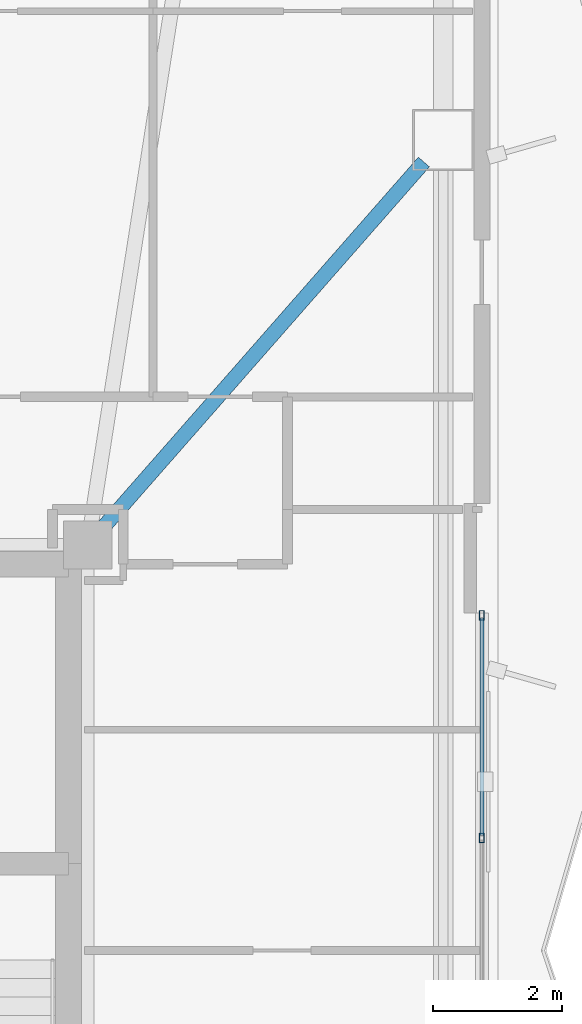
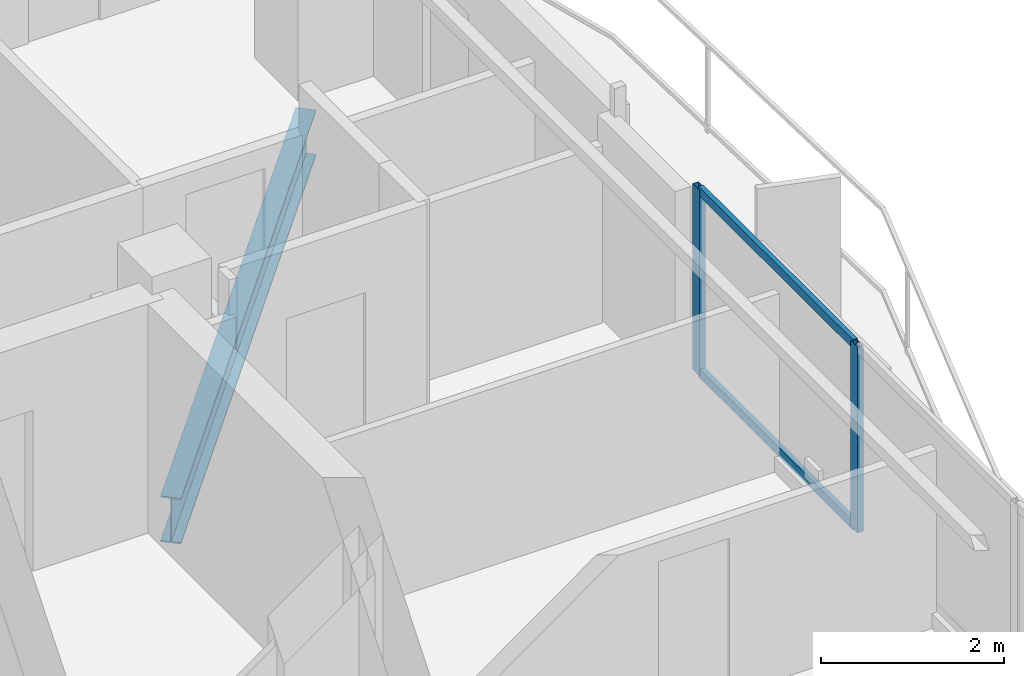
# One storey, part 9 of 18: 4 members, 1 beam, 1 element without a shape of its own.
"""IFC4 building model written with IfcOpenShell, lengths in metres."""

from ifc_helpers import new_model, si_unit, direction, frame, origin, origin_2d, place, context, subcontext, project, spatial, hollow_rectangle, i_section, extrude, material, layer, layer_set, material_profile, profile_set, type_object, element, aggregate, save


model = new_model("IFC4")

# Units and contexts
model_context = context("Model", 3, precision=1e-05, world=origin(), true_north=direction((0.0, 1.0)))
body_context = subcontext(model_context, "Body", "Model", "MODEL_VIEW")
ifc_project = project(units=[si_unit("LENGTHUNIT", "METRE"), si_unit("AREAUNIT", "SQUARE_METRE"), si_unit("VOLUMEUNIT", "CUBIC_METRE"), si_unit("PLANEANGLEUNIT", "RADIAN"), si_unit("MASSUNIT", "GRAM", prefix="KILO")], contexts=[model_context])

# Site, building, storey
site_placement = place(None, origin())
site = spatial("IfcSite", under=ifc_project, at=site_placement, CompositionType="ELEMENT")
building_placement = place(site_placement, origin())
building = spatial("IfcBuilding", under=site, at=building_placement, Name="Mersakhor Tower and Convention Hall", CompositionType="ELEMENT")
storey_placement = place(building_placement, frame((0.0, 0.0, 154.199951171875)))
storey = spatial("IfcBuildingStorey", under=building, at=storey_placement, Name="L43", CompositionType="ELEMENT", Elevation=154.199951171875)

# Beam
ifc_material_1 = material(Name="Steel S355", Category="steel")
ifc_material_profile_1 = material_profile(ifc_material_1, i_section(OverallWidth=0.22900390625, OverallDepth=0.6123046875, WebThickness=0.011962890625, FlangeThickness=0.01953125, at=origin_2d()), Name="UB 610x229x125")
ifc_profile_set_1 = profile_set([ifc_material_profile_1], Name="Steel S355")
beam_type = type_object("IfcBeamType", Name="BM-PR-610", PredefinedType="BEAM", material=ifc_profile_set_1)
beam_placement = place(storey_placement, frame((36.334228515625, 33.31689453125, -0.546142578125), z_axis=(0.65963831109, 0.751583194691, 0.0), x_axis=(-0.751583194691, 0.65963831109, 0.0)))
element("IfcBeam", 1, at=beam_placement, inside=storey, type_object=beam_type, Name="L43 Primary Floor Girder FG-3", PredefinedType="BEAM", context=body_context, shape_type="SweptSolid", body=[
    extrude(i_section(OverallWidth=0.22900390625, OverallDepth=0.6123046875, WebThickness=0.011962890625, FlangeThickness=0.01953125, at=origin_2d()), origin(), (0.0, 0.0, 1.0), 7.556884765625),
])

# Curtain wall, members
ifc_material_2 = material(Name="Dark solar low-E aluminium curtain wall", Category="aluminium")
ifc_layer = layer(ifc_material_2, 0.169921875)
ifc_layer_set = layer_set([ifc_layer], Name="Dark solar low-E aluminium curtain wall")
curtain_wall_type = type_object("IfcCurtainWallType", Name="CW-SYS-02", PredefinedType="USERDEFINED", material=ifc_layer_set)
curtain_wall_placement = place(storey_placement, origin())
curtain_wall = element("IfcCurtainWall", 2, at=curtain_wall_placement, inside=storey, type_object=curtain_wall_type, Name="L43 Dark-Glass Curtain Wall F2-B2", ObjectType="CURTAIN WALL", PredefinedType="USERDEFINED")
ifc_material_3 = material(Name="Anodised aluminium EN AW-6063 T6", Category="aluminium")
ifc_material_profile_2 = material_profile(ifc_material_3, hollow_rectangle(XDim=0.074951171875, YDim=0.14990234375, WallThickness=0.00634765625, at=origin_2d()), Name="RHS 150x75x6.3")
ifc_profile_set_2 = profile_set([ifc_material_profile_2], Name="Anodised aluminium EN AW-6063 T6")
member_type_1 = type_object("IfcMemberType", Name="CWM-150x75", PredefinedType="MULLION", material=ifc_profile_set_2)
member_1_placement = place(storey_placement, frame((42.21923828125, 31.95556640625, 0.199951171875), z_axis=(0.0, 0.0, 1.0), x_axis=(1.0, 0.0, 0.0)))
member_1 = element("IfcMember", 3, at=member_1_placement, type_object=member_type_1, Name="CW-02 mullion 1", PredefinedType="MULLION", context=body_context, shape_type="SweptSolid", body=[
    extrude(hollow_rectangle(XDim=0.074951171875, YDim=0.14990234375, WallThickness=0.00634765625, at=origin_2d()), origin(), (0.0, 0.0, 1.0), 2.47998046875),
])
member_2_placement = place(storey_placement, frame((42.21923828125, 28.49755859375, 0.199951171875), z_axis=(0.0, 0.0, 1.0), x_axis=(1.0, 0.0, 0.0)))
member_2 = element("IfcMember", 4, at=member_2_placement, type_object=member_type_1, Name="CW-02 mullion 2", PredefinedType="MULLION", context=body_context, shape_type="SweptSolid", body=[
    extrude(hollow_rectangle(XDim=0.074951171875, YDim=0.14990234375, WallThickness=0.00634765625, at=origin_2d()), origin(), (0.0, 0.0, 1.0), 2.47998046875),
])
ifc_material_4 = material(Name="Anodised aluminium EN AW-6063 T6", Category="aluminium")
ifc_material_profile_3 = material_profile(ifc_material_4, hollow_rectangle(XDim=0.06005859375, YDim=0.1201171875, WallThickness=0.0048828125, at=origin_2d()), Name="RHS 120x60x5")
ifc_profile_set_3 = profile_set([ifc_material_profile_3], Name="Anodised aluminium EN AW-6063 T6")
member_type_2 = type_object("IfcMemberType", Name="CWT-120x60", PredefinedType="USERDEFINED", material=ifc_profile_set_3)
member_3_placement = place(storey_placement, frame((42.21923828125, 31.91796875, 0.22998046875), z_axis=(0.0, -1.0, 0.0), x_axis=(1.0, 0.0, 0.0)))
member_3 = element("IfcMember", 5, at=member_3_placement, type_object=member_type_2, Name="CW-02 transom 1.1", ObjectType="TRANSOM", PredefinedType="USERDEFINED", context=body_context, shape_type="SweptSolid", body=[
    extrude(hollow_rectangle(XDim=0.06005859375, YDim=0.1201171875, WallThickness=0.0048828125, at=origin_2d()), origin(), (0.0, 0.0, 1.0), 3.3828125),
])
member_4_placement = place(storey_placement, frame((42.21923828125, 31.91796875, 2.650146484375), z_axis=(0.0, -1.0, 0.0), x_axis=(1.0, 0.0, 0.0)))
member_4 = element("IfcMember", 6, at=member_4_placement, type_object=member_type_2, Name="CW-02 transom 1.2", ObjectType="TRANSOM", PredefinedType="USERDEFINED", context=body_context, shape_type="SweptSolid", body=[
    extrude(hollow_rectangle(XDim=0.06005859375, YDim=0.1201171875, WallThickness=0.0048828125, at=origin_2d()), origin(), (0.0, 0.0, 1.0), 3.3828125),
])
aggregate(curtain_wall, [member_1, member_2, member_3, member_4])

save(model, "model.ifc")
